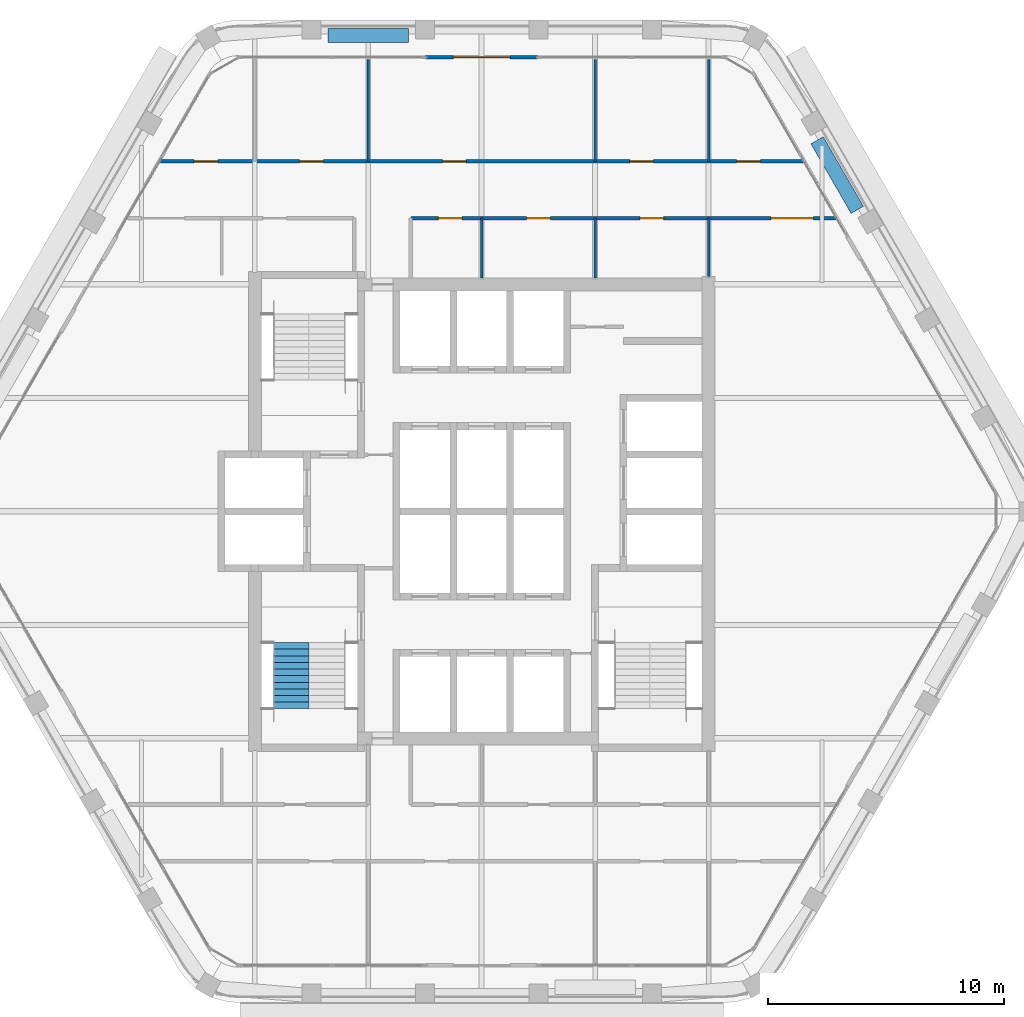
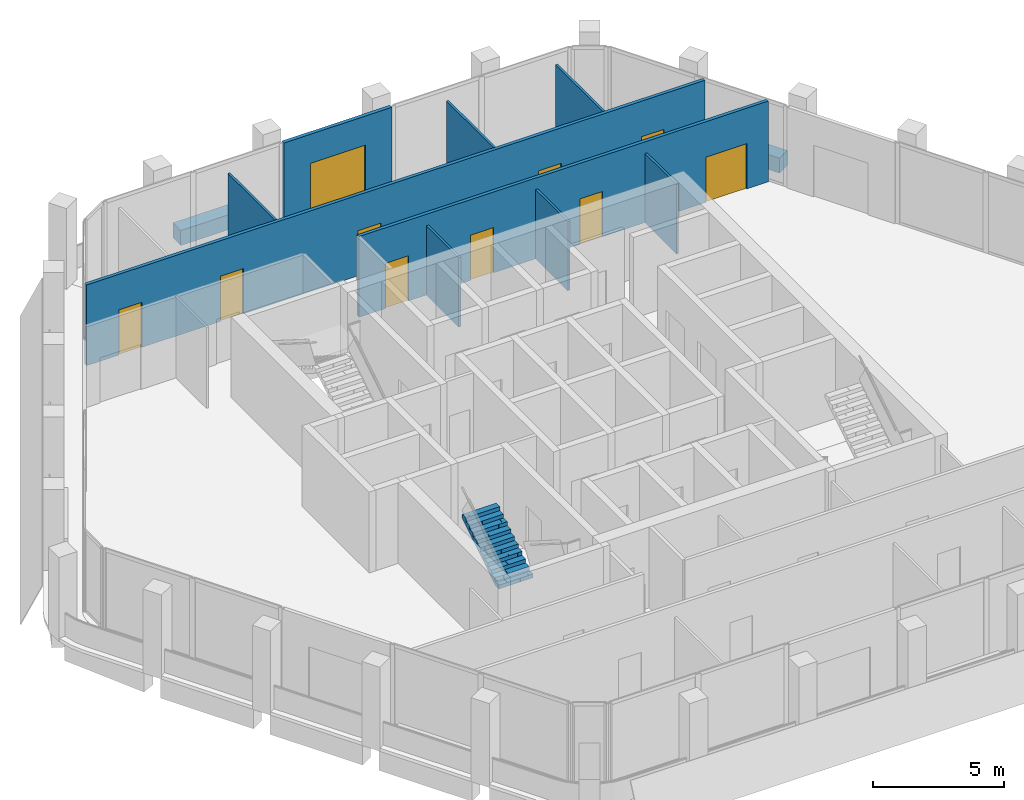
# One storey, part 10 of 14: 11 walls, 10 doors, 1 stair flight, 10 openings, 1 element without a shape of its own.
"""IFC4 building model written with IfcOpenShell, lengths in metres."""

from ifc_helpers import new_model, si_unit, direction, frame, frame_2d, origin, place, context, subcontext, project, spatial, polyline, rectangle, outline, extrude, material, layer, layer_set, type_object, element, fill, aggregate, save


model = new_model("IFC4")

# Units and contexts
model_context = context("Model", 3, precision=1e-05, world=origin(), true_north=direction((0.0, 1.0)))
body_context = subcontext(model_context, "Body", "Model", "MODEL_VIEW")
ifc_project = project(units=[si_unit("LENGTHUNIT", "METRE"), si_unit("AREAUNIT", "SQUARE_METRE"), si_unit("VOLUMEUNIT", "CUBIC_METRE"), si_unit("PLANEANGLEUNIT", "RADIAN"), si_unit("MASSUNIT", "GRAM", prefix="KILO")], contexts=[model_context])

# Site, building, storey
site_placement = place(None, origin())
site = spatial("IfcSite", under=ifc_project, at=site_placement, CompositionType="ELEMENT")
building_placement = place(site_placement, origin())
building = spatial("IfcBuilding", under=site, at=building_placement, Name="Kolab Exchange Tower", CompositionType="ELEMENT")
storey_placement = place(building_placement, frame((0.0, 0.0, 242.300048828125)))
storey = spatial("IfcBuildingStorey", under=building, at=storey_placement, Name="L53", CompositionType="ELEMENT", Elevation=242.300048828125)

# Wall, opening, door
ifc_material_1 = material(Name="Aluminium EN AW-6063 T6", Category="aluminium")
ifc_layer_1 = layer(ifc_material_1, 0.159912109375)
ifc_layer_set_1 = layer_set([ifc_layer_1], Name="Aluminium EN AW-6063 T6")
wall_type_1 = type_object("IfcWallType", Name="DOOR SURROUND WALL 160 ALUMINIUM FRAMED", PredefinedType="PARTITIONING", material=ifc_layer_set_1)
wall_1_placement = place(storey_placement, frame((-2.3701171875, 19.20458984375, 0.0), z_axis=(0.0, 0.0, 1.0), x_axis=(1.0, 0.0, 0.0)))
wall_1 = element("IfcWall", 1, at=wall_1_placement, inside=storey, type_object=wall_type_1, Name="Door surround wall", PredefinedType="PARTITIONING", context=body_context, shape_type="SweptSolid", body=[
    extrude(rectangle(XDim=4.740234375, YDim=0.159912109375, at=frame_2d((2.3701171875, 0.0))), origin(), (0.0, 0.0, 1.0), 3.75),
])
opening_1_placement = place(wall_1_placement, frame((1.169921875, 0.0, 0.0)))
opening_1 = element("IfcOpeningElement", 2, at=opening_1_placement, cuts=wall_1, Name="Opening GD1-089", PredefinedType="OPENING", context=body_context, shape_type="SweptSolid", body=[
    extrude(rectangle(XDim=2.39990234375, YDim=2.39990234375, at=frame_2d((1.199951171875, 1.199951171875))), frame((0.0, 0.08984375, 0.0), z_axis=(0.0, -1.0, 0.0), x_axis=(1.0, 0.0, 0.0)), (0.0, 0.0, 1.0), 0.179931640625),
])
door_type_1 = type_object("IfcDoorType", Name="LOGGIA SLIDING GLASS DOOR 2400 X 2400", OperationType="DOUBLE_DOOR_SINGLE_SWING", PredefinedType="DOOR", material=ifc_material_1)
door_1_placement = place(opening_1_placement, origin())
door_1 = element("IfcDoor", 3, at=door_1_placement, inside=storey, type_object=door_type_1, Name="Loggia door", OperationType="DOUBLE_DOOR_SLIDING", OverallHeight=2.39990234375, OverallWidth=2.39990234375, PredefinedType="DOOR", context=body_context, shape_type="SweptSolid", body=[
    extrude(rectangle(XDim=2.39990234375, YDim=2.39990234375, at=frame_2d((1.199951171875, 1.199951171875))), frame((0.0, 0.02490234375, 0.0), z_axis=(0.0, -1.0, 0.0), x_axis=(1.0, 0.0, 0.0)), (0.0, 0.0, 1.0), 0.050048828125),
])
fill(opening_1, door_1)

# Walls
ifc_material_2 = material(Name="Gypsum board", Category="gypsum")
ifc_layer_2 = layer(ifc_material_2, 0.10009765625)
ifc_layer_set_2 = layer_set([ifc_layer_2], Name="Gypsum board")
wall_type_2 = type_object("IfcWallType", Name="PARTITION 100", PredefinedType="PARTITIONING", material=ifc_layer_set_2)
wall_2_placement = place(storey_placement, frame((9.60009765625, 9.925048828125, 0.0), z_axis=(0.0, 0.0, 1.0), x_axis=(0.0, 1.0, 0.0)))
element("IfcWall", 4, at=wall_2_placement, inside=storey, type_object=wall_type_2, Name="Partition 002", PredefinedType="PARTITIONING", context=body_context, shape_type="SweptSolid", body=[
    extrude(rectangle(XDim=2.474853515625, YDim=0.10009765625, at=frame_2d((1.2373046875, 0.0))), origin(), (0.0, 0.0, 1.0), 3.217041015625),
])
wall_3_placement = place(storey_placement, frame((9.60009765625, 14.800048828125, 0.0), z_axis=(0.0, 0.0, 1.0), x_axis=(0.0, 1.0, 0.0)))
element("IfcWall", 5, at=wall_3_placement, inside=storey, type_object=wall_type_2, Name="Partition 003", PredefinedType="PARTITIONING", context=body_context, shape_type="SweptSolid", body=[
    extrude(rectangle(XDim=4.314453125, YDim=0.10009765625, at=frame_2d((2.1572265625, 0.0))), origin(), (0.0, 0.0, 1.0), 3.217041015625),
])
wall_4_placement = place(storey_placement, frame((4.800048828125, 9.875, 0.0), z_axis=(0.0, 0.0, 1.0), x_axis=(0.0, 1.0, 0.0)))
element("IfcWall", 6, at=wall_4_placement, inside=storey, type_object=wall_type_2, Name="Partition 006", PredefinedType="PARTITIONING", context=body_context, shape_type="SweptSolid", body=[
    extrude(rectangle(XDim=2.52490234375, YDim=0.10009765625, at=frame_2d((1.262451171875, 0.0))), origin(), (0.0, 0.0, 1.0), 3.217041015625),
])
wall_5_placement = place(storey_placement, frame((4.800048828125, 14.800048828125, 0.0), z_axis=(0.0, 0.0, 1.0), x_axis=(0.0, 1.0, 0.0)))
element("IfcWall", 7, at=wall_5_placement, inside=storey, type_object=wall_type_2, Name="Partition 007", PredefinedType="PARTITIONING", context=body_context, shape_type="SweptSolid", body=[
    extrude(rectangle(XDim=4.314453125, YDim=0.10009765625, at=frame_2d((2.1572265625, 0.0))), origin(), (0.0, 0.0, 1.0), 3.217041015625),
])
wall_6_placement = place(storey_placement, frame((0.0, 9.875, 0.0), z_axis=(0.0, 0.0, 1.0), x_axis=(0.0, 1.0, 0.0)))
element("IfcWall", 8, at=wall_6_placement, inside=storey, type_object=wall_type_2, Name="Partition 009", PredefinedType="PARTITIONING", context=body_context, shape_type="SweptSolid", body=[
    extrude(rectangle(XDim=2.52490234375, YDim=0.10009765625, at=frame_2d((1.262451171875, 0.0))), origin(), (0.0, 0.0, 1.0), 3.217041015625),
])
wall_7_placement = place(storey_placement, frame((-4.800048828125, 14.800048828125, 0.0), z_axis=(0.0, 0.0, 1.0), x_axis=(0.0, 1.0, 0.0)))
element("IfcWall", 9, at=wall_7_placement, inside=storey, type_object=wall_type_2, Name="Partition 013", PredefinedType="PARTITIONING", context=body_context, shape_type="SweptSolid", body=[
    extrude(rectangle(XDim=4.314453125, YDim=0.10009765625, at=frame_2d((2.1572265625, 0.0))), origin(), (0.0, 0.0, 1.0), 3.217041015625),
])

# Wall, openings, doors
ifc_layer_3 = layer(ifc_material_2, 0.14990234375)
ifc_layer_set_3 = layer_set([ifc_layer_3], Name="Gypsum board")
wall_type_3 = type_object("IfcWallType", Name="PARTITION 150 FIRE-RATED", PredefinedType="PARTITIONING", material=ifc_layer_set_3)
wall_8_placement = place(storey_placement, frame((-3.0, 12.39990234375, 0.0), z_axis=(0.0, 0.0, 1.0), x_axis=(1.0, 0.0, 0.0)))
wall_8 = element("IfcWall", 10, at=wall_8_placement, inside=storey, type_object=wall_type_3, Name="Partition 025", PredefinedType="PARTITIONING", context=body_context, shape_type="SweptSolid", body=[
    extrude(rectangle(XDim=17.97021484375, YDim=0.14990234375, at=frame_2d((8.985107421875, 0.0))), origin(), (0.0, 0.0, 1.0), 3.75),
])
opening_2_placement = place(wall_8_placement, frame((1.1650390625, 0.0, 0.0)))
opening_2 = element("IfcOpeningElement", 11, at=opening_2_placement, cuts=wall_8, Name="Opening D1-671", PredefinedType="OPENING", context=body_context, shape_type="SweptSolid", body=[
    extrude(rectangle(XDim=1.0, YDim=2.10009765625, at=frame_2d((0.5, 1.050048828125))), frame((0.0, 0.0849609375, 0.0), z_axis=(0.0, -1.0, 0.0), x_axis=(1.0, 0.0, 0.0)), (0.0, 0.0, 1.0), 0.169921875),
])
opening_3_placement = place(wall_8_placement, frame((4.89990234375, 0.0, 0.0)))
opening_3 = element("IfcOpeningElement", 12, at=opening_3_placement, cuts=wall_8, Name="Opening D1-672", PredefinedType="OPENING", context=body_context, shape_type="SweptSolid", body=[
    extrude(rectangle(XDim=1.0, YDim=2.10009765625, at=frame_2d((0.5, 1.050048828125))), frame((0.0, 0.0849609375, 0.0), z_axis=(0.0, -1.0, 0.0), x_axis=(1.0, 0.0, 0.0)), (0.0, 0.0, 1.0), 0.169921875),
])
opening_4_placement = place(wall_8_placement, frame((9.699951171875, 0.0, 0.0)))
opening_4 = element("IfcOpeningElement", 13, at=opening_4_placement, cuts=wall_8, Name="Opening D1-673", PredefinedType="OPENING", context=body_context, shape_type="SweptSolid", body=[
    extrude(rectangle(XDim=1.0, YDim=2.10009765625, at=frame_2d((0.5, 1.050048828125))), frame((0.0, 0.0849609375, 0.0), z_axis=(0.0, -1.0, 0.0), x_axis=(1.0, 0.0, 0.0)), (0.0, 0.0, 1.0), 0.169921875),
])
opening_5_placement = place(wall_8_placement, frame((15.231689453125, 0.0, 0.0)))
opening_5 = element("IfcOpeningElement", 14, at=opening_5_placement, cuts=wall_8, Name="Opening D2-069", PredefinedType="OPENING", context=body_context, shape_type="SweptSolid", body=[
    extrude(rectangle(XDim=1.800048828125, YDim=2.10009765625, at=frame_2d((0.89990234375, 1.050048828125))), frame((0.0, 0.0849609375, 0.0), z_axis=(0.0, -1.0, 0.0), x_axis=(1.0, 0.0, 0.0)), (0.0, 0.0, 1.0), 0.169921875),
])
ifc_material_3 = material(Name="Steel S235", Category="steel")
door_type_2 = type_object("IfcDoorType", Name="DOUBLE DOOR 1800 FD60", OperationType="DOUBLE_DOOR_SINGLE_SWING", PredefinedType="DOOR", material=ifc_material_3)
door_2_placement = place(opening_5_placement, frame((1.800048828125, 0.0, 0.0), z_axis=(0.0, 0.0, 1.0), x_axis=(-1.0, 0.0, 0.0)))
door_2 = element("IfcDoor", 15, at=door_2_placement, inside=storey, type_object=door_type_2, Name="Door L53-048", OperationType="SINGLE_SWING_RIGHT", OverallHeight=2.10009765625, OverallWidth=1.800048828125, PredefinedType="DOOR", context=body_context, shape_type="SweptSolid", body=[
    extrude(rectangle(XDim=1.800048828125, YDim=2.10009765625, at=frame_2d((0.89990234375, 1.050048828125))), frame((0.0, 0.02490234375, 0.0), z_axis=(0.0, -1.0, 0.0), x_axis=(1.0, 0.0, 0.0)), (0.0, 0.0, 1.0), 0.050048828125),
])
fill(opening_5, door_2)
door_type_3 = type_object("IfcDoorType", Name="FLUSH DOOR 1000 FD60", OperationType="SINGLE_SWING_LEFT", PredefinedType="DOOR", material=ifc_material_3)
door_3_placement = place(opening_2_placement, frame((1.0, 0.0, 0.0), z_axis=(0.0, 0.0, 1.0), x_axis=(-1.0, 0.0, 0.0)))
door_3 = element("IfcDoor", 16, at=door_3_placement, inside=storey, type_object=door_type_3, Name="Door L53-031", OperationType="SINGLE_SWING_RIGHT", OverallHeight=2.10009765625, OverallWidth=1.0, PredefinedType="DOOR", context=body_context, shape_type="SweptSolid", body=[
    extrude(rectangle(XDim=1.0, YDim=2.10009765625, at=frame_2d((0.5, 1.050048828125))), frame((0.0, 0.02490234375, 0.0), z_axis=(0.0, -1.0, 0.0), x_axis=(1.0, 0.0, 0.0)), (0.0, 0.0, 1.0), 0.050048828125),
])
fill(opening_2, door_3)
door_4_placement = place(opening_3_placement, frame((1.0, 0.0, 0.0), z_axis=(0.0, 0.0, 1.0), x_axis=(-1.0, 0.0, 0.0)))
door_4 = element("IfcDoor", 17, at=door_4_placement, inside=storey, type_object=door_type_3, Name="Door L53-032", OperationType="SINGLE_SWING_RIGHT", OverallHeight=2.10009765625, OverallWidth=1.0, PredefinedType="DOOR", context=body_context, shape_type="SweptSolid", body=[
    extrude(rectangle(XDim=1.0, YDim=2.10009765625, at=frame_2d((0.5, 1.050048828125))), frame((0.0, 0.02490234375, 0.0), z_axis=(0.0, -1.0, 0.0), x_axis=(1.0, 0.0, 0.0)), (0.0, 0.0, 1.0), 0.050048828125),
])
fill(opening_3, door_4)
door_5_placement = place(opening_4_placement, frame((1.0, 0.0, 0.0), z_axis=(0.0, 0.0, 1.0), x_axis=(-1.0, 0.0, 0.0)))
door_5 = element("IfcDoor", 18, at=door_5_placement, inside=storey, type_object=door_type_3, Name="Door L53-033", OperationType="SINGLE_SWING_LEFT", OverallHeight=2.10009765625, OverallWidth=1.0, PredefinedType="DOOR", context=body_context, shape_type="SweptSolid", body=[
    extrude(rectangle(XDim=1.0, YDim=2.10009765625, at=frame_2d((0.5, 1.050048828125))), frame((0.0, 0.02490234375, 0.0), z_axis=(0.0, -1.0, 0.0), x_axis=(1.0, 0.0, 0.0)), (0.0, 0.0, 1.0), 0.050048828125),
])
fill(opening_4, door_5)

wall_9_placement = place(storey_placement, frame((-13.584716796875, 14.800048828125, 0.0), z_axis=(0.0, 0.0, 1.0), x_axis=(1.0, 0.0, 0.0)))
wall_9 = element("IfcWall", 19, at=wall_9_placement, inside=storey, type_object=wall_type_3, Name="Partition 026", PredefinedType="PARTITIONING", context=body_context, shape_type="SweptSolid", body=[
    extrude(rectangle(XDim=27.16943359375, YDim=0.14990234375, at=frame_2d((13.584716796875, 0.0))), origin(), (0.0, 0.0, 1.0), 3.75),
])
opening_6_placement = place(wall_9_placement, frame((1.423095703125, 0.0, 0.0)))
opening_6 = element("IfcOpeningElement", 20, at=opening_6_placement, cuts=wall_9, Name="Opening D1-677", PredefinedType="OPENING", context=body_context, shape_type="SweptSolid", body=[
    extrude(rectangle(XDim=1.0, YDim=2.10009765625, at=frame_2d((0.5, 1.050048828125))), frame((0.0, 0.0849609375, 0.0), z_axis=(0.0, -1.0, 0.0), x_axis=(1.0, 0.0, 0.0)), (0.0, 0.0, 1.0), 0.169921875),
])
opening_7_placement = place(wall_9_placement, frame((5.884521484375, 0.0, 0.0)))
opening_7 = element("IfcOpeningElement", 21, at=opening_7_placement, cuts=wall_9, Name="Opening D1-678", PredefinedType="OPENING", context=body_context, shape_type="SweptSolid", body=[
    extrude(rectangle(XDim=1.0, YDim=2.10009765625, at=frame_2d((0.5, 1.050048828125))), frame((0.0, 0.0849609375, 0.0), z_axis=(0.0, -1.0, 0.0), x_axis=(1.0, 0.0, 0.0)), (0.0, 0.0, 1.0), 0.169921875),
])
opening_8_placement = place(wall_9_placement, frame((11.9296875, 0.0, 0.0)))
opening_8 = element("IfcOpeningElement", 22, at=opening_8_placement, cuts=wall_9, Name="Opening D1-679", PredefinedType="OPENING", context=body_context, shape_type="SweptSolid", body=[
    extrude(rectangle(XDim=1.0, YDim=2.10009765625, at=frame_2d((0.5, 1.050048828125))), frame((0.0, 0.0849609375, 0.0), z_axis=(0.0, -1.0, 0.0), x_axis=(1.0, 0.0, 0.0)), (0.0, 0.0, 1.0), 0.169921875),
])
opening_9_placement = place(wall_9_placement, frame((19.849609375, 0.0, 0.0)))
opening_9 = element("IfcOpeningElement", 23, at=opening_9_placement, cuts=wall_9, Name="Opening D1-680", PredefinedType="OPENING", context=body_context, shape_type="SweptSolid", body=[
    extrude(rectangle(XDim=1.0, YDim=2.10009765625, at=frame_2d((0.5, 1.050048828125))), frame((0.0, 0.0849609375, 0.0), z_axis=(0.0, -1.0, 0.0), x_axis=(1.0, 0.0, 0.0)), (0.0, 0.0, 1.0), 0.169921875),
])
opening_10_placement = place(wall_9_placement, frame((24.36767578125, 0.0, 0.0)))
opening_10 = element("IfcOpeningElement", 24, at=opening_10_placement, cuts=wall_9, Name="Opening D1-681", PredefinedType="OPENING", context=body_context, shape_type="SweptSolid", body=[
    extrude(rectangle(XDim=1.0, YDim=2.10009765625, at=frame_2d((0.5, 1.050048828125))), frame((0.0, 0.0849609375, 0.0), z_axis=(0.0, -1.0, 0.0), x_axis=(1.0, 0.0, 0.0)), (0.0, 0.0, 1.0), 0.169921875),
])
door_6_placement = place(opening_6_placement, origin())
door_6 = element("IfcDoor", 25, at=door_6_placement, inside=storey, type_object=door_type_3, Name="Door L53-039", OperationType="SINGLE_SWING_LEFT", OverallHeight=2.10009765625, OverallWidth=1.0, PredefinedType="DOOR", context=body_context, shape_type="SweptSolid", body=[
    extrude(rectangle(XDim=1.0, YDim=2.10009765625, at=frame_2d((0.5, 1.050048828125))), frame((0.0, 0.02490234375, 0.0), z_axis=(0.0, -1.0, 0.0), x_axis=(1.0, 0.0, 0.0)), (0.0, 0.0, 1.0), 0.050048828125),
])
fill(opening_6, door_6)
door_7_placement = place(opening_7_placement, origin())
door_7 = element("IfcDoor", 26, at=door_7_placement, inside=storey, type_object=door_type_3, Name="Door L53-040", OperationType="SINGLE_SWING_LEFT", OverallHeight=2.10009765625, OverallWidth=1.0, PredefinedType="DOOR", context=body_context, shape_type="SweptSolid", body=[
    extrude(rectangle(XDim=1.0, YDim=2.10009765625, at=frame_2d((0.5, 1.050048828125))), frame((0.0, 0.02490234375, 0.0), z_axis=(0.0, -1.0, 0.0), x_axis=(1.0, 0.0, 0.0)), (0.0, 0.0, 1.0), 0.050048828125),
])
fill(opening_7, door_7)
door_8_placement = place(opening_8_placement, origin())
door_8 = element("IfcDoor", 27, at=door_8_placement, inside=storey, type_object=door_type_3, Name="Door L53-041", OperationType="SINGLE_SWING_LEFT", OverallHeight=2.10009765625, OverallWidth=1.0, PredefinedType="DOOR", context=body_context, shape_type="SweptSolid", body=[
    extrude(rectangle(XDim=1.0, YDim=2.10009765625, at=frame_2d((0.5, 1.050048828125))), frame((0.0, 0.02490234375, 0.0), z_axis=(0.0, -1.0, 0.0), x_axis=(1.0, 0.0, 0.0)), (0.0, 0.0, 1.0), 0.050048828125),
])
fill(opening_8, door_8)
door_9_placement = place(opening_9_placement, origin())
door_9 = element("IfcDoor", 28, at=door_9_placement, inside=storey, type_object=door_type_3, Name="Door L53-042", OperationType="SINGLE_SWING_LEFT", OverallHeight=2.10009765625, OverallWidth=1.0, PredefinedType="DOOR", context=body_context, shape_type="SweptSolid", body=[
    extrude(rectangle(XDim=1.0, YDim=2.10009765625, at=frame_2d((0.5, 1.050048828125))), frame((0.0, 0.02490234375, 0.0), z_axis=(0.0, -1.0, 0.0), x_axis=(1.0, 0.0, 0.0)), (0.0, 0.0, 1.0), 0.050048828125),
])
fill(opening_9, door_9)
door_10_placement = place(opening_10_placement, origin())
door_10 = element("IfcDoor", 29, at=door_10_placement, inside=storey, type_object=door_type_3, Name="Door L53-043", OperationType="SINGLE_SWING_LEFT", OverallHeight=2.10009765625, OverallWidth=1.0, PredefinedType="DOOR", context=body_context, shape_type="SweptSolid", body=[
    extrude(rectangle(XDim=1.0, YDim=2.10009765625, at=frame_2d((0.5, 1.050048828125))), frame((0.0, 0.02490234375, 0.0), z_axis=(0.0, -1.0, 0.0), x_axis=(1.0, 0.0, 0.0)), (0.0, 0.0, 1.0), 0.050048828125),
])
fill(opening_10, door_10)

# Walls
ifc_material_4 = material(Name="Granite facing", Category="masonry")
ifc_layer_4 = layer(ifc_material_4, 0.0400390625)
ifc_material_5 = material(Name="Concrete C40/50 precast", Category="concrete")
ifc_layer_5 = layer(ifc_material_5, 0.56005859375)
ifc_layer_set_4 = layer_set([ifc_layer_4, ifc_layer_5], Name="Concrete C40/50 precast")
wall_type_4 = type_object("IfcWallType", Name="PLANTER BOX 600 X 700 SOIL DEPTH 550", PredefinedType="USERDEFINED", material=ifc_layer_set_4)
wall_10_placement = place(storey_placement, frame((-6.5, 20.134521484375, 0.0), z_axis=(0.0, 0.0, 1.0), x_axis=(1.0, 0.0, 0.0)))
element("IfcWall", 30, at=wall_10_placement, inside=storey, type_object=wall_type_4, Name="Planter", ObjectType="PLANTER", PredefinedType="USERDEFINED", context=body_context, shape_type="SweptSolid", body=[
    extrude(rectangle(XDim=3.39990234375, YDim=0.60009765625, at=frame_2d((1.699951171875, 0.0))), origin(), (0.0, 0.0, 1.0), 0.699951171875),
])
wall_11_placement = place(storey_placement, frame((14.18701171875, 15.696533203125, 0.0), z_axis=(0.0, 0.0, 1.0), x_axis=(0.499977295307, -0.866038511948, 0.0)))
element("IfcWall", 31, at=wall_11_placement, inside=storey, type_object=wall_type_4, Name="Planter", ObjectType="PLANTER", PredefinedType="USERDEFINED", context=body_context, shape_type="SweptSolid", body=[
    extrude(rectangle(XDim=3.400146484375, YDim=0.60009765625, at=frame_2d((1.7001953125, 0.0))), origin(), (0.0, 0.0, 1.0), 0.699951171875),
])

# Stair, stair flight
ifc_material_6 = material(Name="Concrete C50/60", Category="concrete")
stair_type = type_object("IfcStairType", Name="STAIR ST3 RISER 177.3", PredefinedType="HALF_TURN_STAIR", material=ifc_material_6)
stair_placement = place(storey_placement, origin())
stair = element("IfcStair", 32, at=stair_placement, inside=storey, type_object=stair_type, Name="Stair 3", PredefinedType="HALF_TURN_STAIR")
stair_flight_type = type_object("IfcStairFlightType", Name="STAIR FLIGHT 1500 RISER 177.3", PredefinedType="STRAIGHT", material=ifc_material_6)
stair_flight_placement = place(storey_placement, frame((-8.047607421875, -8.35009765625, 1.949951171875), z_axis=(0.0, 0.0, 1.0), x_axis=(0.0, 1.0, 0.0)))
stair_flight = element("IfcStairFlight", 33, at=stair_flight_placement, type_object=stair_flight_type, Name="ST3 flight 2", NumberOfRisers=11, NumberOfTreads=10, PredefinedType="STRAIGHT", RiserHeight=0.177272727, TreadLength=0.28, context=body_context, shape_type="SweptSolid", body=[
    extrude(outline(polyline([(0.0, 0.0), (0.0, 0.17724609375), (0.280029296875, 0.17724609375), (0.280029296875, 0.3544921875), (0.56005859375, 0.3544921875), (0.56005859375, 0.53173828125), (0.840087890625, 0.53173828125), (0.840087890625, 0.708984375), (1.1201171875, 0.708984375), (1.1201171875, 0.886474609375), (1.39990234375, 0.886474609375), (1.39990234375, 1.063720703125), (1.679931640625, 1.063720703125), (1.679931640625, 1.240966796875), (1.9599609375, 1.240966796875), (1.9599609375, 1.418212890625), (2.239990234375, 1.418212890625), (2.239990234375, 1.595458984375), (2.52001953125, 1.595458984375), (2.52001953125, 1.772705078125), (2.800048828125, 1.772705078125), (2.800048828125, 1.949951171875), (2.800048828125, 1.59521484375), (0.2802734375, 0.0), (0.0, 0.0)])), frame((0.0, 0.75, 0.0), z_axis=(0.0, -1.0, 0.0), x_axis=(1.0, 0.0, 0.0)), (0.0, 0.0, 1.0), 0.185791015625),
    extrude(outline(polyline([(0.0, 0.0), (0.0, 0.17724609375), (0.280029296875, 0.17724609375), (0.280029296875, 0.3544921875), (0.56005859375, 0.3544921875), (0.56005859375, 0.53173828125), (0.840087890625, 0.53173828125), (0.840087890625, 0.708984375), (1.1201171875, 0.708984375), (1.1201171875, 0.886474609375), (1.39990234375, 0.886474609375), (1.39990234375, 1.063720703125), (1.679931640625, 1.063720703125), (1.679931640625, 1.240966796875), (1.9599609375, 1.240966796875), (1.9599609375, 1.418212890625), (2.239990234375, 1.418212890625), (2.239990234375, 1.595458984375), (2.52001953125, 1.595458984375), (2.52001953125, 1.772705078125), (2.800048828125, 1.772705078125), (2.800048828125, 1.949951171875), (2.800048828125, 1.59521484375), (0.2802734375, 0.0), (0.0, 0.0)])), frame((0.0, 0.562255859375, 0.0), z_axis=(0.0, -1.0, 0.0), x_axis=(1.0, 0.0, 0.0)), (0.0, 0.0, 1.0), 0.185791015625),
    extrude(outline(polyline([(0.0, 0.0), (0.0, 0.17724609375), (0.280029296875, 0.17724609375), (0.280029296875, 0.3544921875), (0.56005859375, 0.3544921875), (0.56005859375, 0.53173828125), (0.840087890625, 0.53173828125), (0.840087890625, 0.708984375), (1.1201171875, 0.708984375), (1.1201171875, 0.886474609375), (1.39990234375, 0.886474609375), (1.39990234375, 1.063720703125), (1.679931640625, 1.063720703125), (1.679931640625, 1.240966796875), (1.9599609375, 1.240966796875), (1.9599609375, 1.418212890625), (2.239990234375, 1.418212890625), (2.239990234375, 1.595458984375), (2.52001953125, 1.595458984375), (2.52001953125, 1.772705078125), (2.800048828125, 1.772705078125), (2.800048828125, 1.949951171875), (2.800048828125, 1.59521484375), (0.2802734375, 0.0), (0.0, 0.0)])), frame((0.0, 0.37451171875, 0.0), z_axis=(0.0, -1.0, 0.0), x_axis=(1.0, 0.0, 0.0)), (0.0, 0.0, 1.0), 0.185791015625),
    extrude(outline(polyline([(0.0, 0.0), (0.0, 0.17724609375), (0.280029296875, 0.17724609375), (0.280029296875, 0.3544921875), (0.56005859375, 0.3544921875), (0.56005859375, 0.53173828125), (0.840087890625, 0.53173828125), (0.840087890625, 0.708984375), (1.1201171875, 0.708984375), (1.1201171875, 0.886474609375), (1.39990234375, 0.886474609375), (1.39990234375, 1.063720703125), (1.679931640625, 1.063720703125), (1.679931640625, 1.240966796875), (1.9599609375, 1.240966796875), (1.9599609375, 1.418212890625), (2.239990234375, 1.418212890625), (2.239990234375, 1.595458984375), (2.52001953125, 1.595458984375), (2.52001953125, 1.772705078125), (2.800048828125, 1.772705078125), (2.800048828125, 1.949951171875), (2.800048828125, 1.59521484375), (0.2802734375, 0.0), (0.0, 0.0)])), frame((0.0, 0.186767578125, 0.0), z_axis=(0.0, -1.0, 0.0), x_axis=(1.0, 0.0, 0.0)), (0.0, 0.0, 1.0), 0.185791015625),
    extrude(outline(polyline([(0.0, 0.0), (0.0, 0.17724609375), (0.280029296875, 0.17724609375), (0.280029296875, 0.3544921875), (0.56005859375, 0.3544921875), (0.56005859375, 0.53173828125), (0.840087890625, 0.53173828125), (0.840087890625, 0.708984375), (1.1201171875, 0.708984375), (1.1201171875, 0.886474609375), (1.39990234375, 0.886474609375), (1.39990234375, 1.063720703125), (1.679931640625, 1.063720703125), (1.679931640625, 1.240966796875), (1.9599609375, 1.240966796875), (1.9599609375, 1.418212890625), (2.239990234375, 1.418212890625), (2.239990234375, 1.595458984375), (2.52001953125, 1.595458984375), (2.52001953125, 1.772705078125), (2.800048828125, 1.772705078125), (2.800048828125, 1.949951171875), (2.800048828125, 1.59521484375), (0.2802734375, 0.0), (0.0, 0.0)])), frame((0.0, -0.0009765625, 0.0), z_axis=(0.0, -1.0, 0.0), x_axis=(1.0, 0.0, 0.0)), (0.0, 0.0, 1.0), 0.185791015625),
    extrude(outline(polyline([(0.0, 0.0), (0.0, 0.17724609375), (0.280029296875, 0.17724609375), (0.280029296875, 0.3544921875), (0.56005859375, 0.3544921875), (0.56005859375, 0.53173828125), (0.840087890625, 0.53173828125), (0.840087890625, 0.708984375), (1.1201171875, 0.708984375), (1.1201171875, 0.886474609375), (1.39990234375, 0.886474609375), (1.39990234375, 1.063720703125), (1.679931640625, 1.063720703125), (1.679931640625, 1.240966796875), (1.9599609375, 1.240966796875), (1.9599609375, 1.418212890625), (2.239990234375, 1.418212890625), (2.239990234375, 1.595458984375), (2.52001953125, 1.595458984375), (2.52001953125, 1.772705078125), (2.800048828125, 1.772705078125), (2.800048828125, 1.949951171875), (2.800048828125, 1.59521484375), (0.2802734375, 0.0), (0.0, 0.0)])), frame((0.0, -0.188720703125, 0.0), z_axis=(0.0, -1.0, 0.0), x_axis=(1.0, 0.0, 0.0)), (0.0, 0.0, 1.0), 0.185791015625),
    extrude(outline(polyline([(0.0, 0.0), (0.0, 0.17724609375), (0.280029296875, 0.17724609375), (0.280029296875, 0.3544921875), (0.56005859375, 0.3544921875), (0.56005859375, 0.53173828125), (0.840087890625, 0.53173828125), (0.840087890625, 0.708984375), (1.1201171875, 0.708984375), (1.1201171875, 0.886474609375), (1.39990234375, 0.886474609375), (1.39990234375, 1.063720703125), (1.679931640625, 1.063720703125), (1.679931640625, 1.240966796875), (1.9599609375, 1.240966796875), (1.9599609375, 1.418212890625), (2.239990234375, 1.418212890625), (2.239990234375, 1.595458984375), (2.52001953125, 1.595458984375), (2.52001953125, 1.772705078125), (2.800048828125, 1.772705078125), (2.800048828125, 1.949951171875), (2.800048828125, 1.59521484375), (0.2802734375, 0.0), (0.0, 0.0)])), frame((0.0, -0.37646484375, 0.0), z_axis=(0.0, -1.0, 0.0), x_axis=(1.0, 0.0, 0.0)), (0.0, 0.0, 1.0), 0.185791015625),
    extrude(outline(polyline([(0.0, 0.0), (0.0, 0.17724609375), (0.280029296875, 0.17724609375), (0.280029296875, 0.3544921875), (0.56005859375, 0.3544921875), (0.56005859375, 0.53173828125), (0.840087890625, 0.53173828125), (0.840087890625, 0.708984375), (1.1201171875, 0.708984375), (1.1201171875, 0.886474609375), (1.39990234375, 0.886474609375), (1.39990234375, 1.063720703125), (1.679931640625, 1.063720703125), (1.679931640625, 1.240966796875), (1.9599609375, 1.240966796875), (1.9599609375, 1.418212890625), (2.239990234375, 1.418212890625), (2.239990234375, 1.595458984375), (2.52001953125, 1.595458984375), (2.52001953125, 1.772705078125), (2.800048828125, 1.772705078125), (2.800048828125, 1.949951171875), (2.800048828125, 1.59521484375), (0.2802734375, 0.0), (0.0, 0.0)])), frame((0.0, -0.564208984375, 0.0), z_axis=(0.0, -1.0, 0.0), x_axis=(1.0, 0.0, 0.0)), (0.0, 0.0, 1.0), 0.185791015625),
])
aggregate(stair, [stair_flight])

save(model, "model.ifc")
